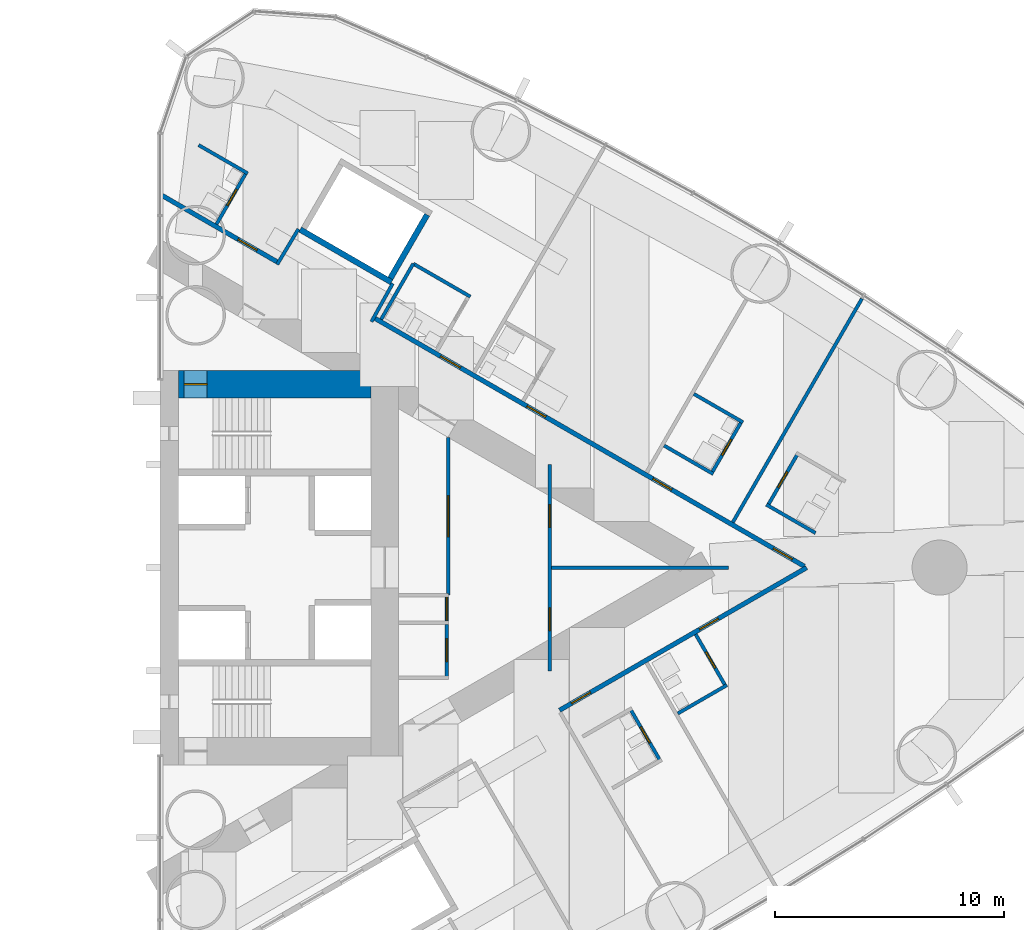
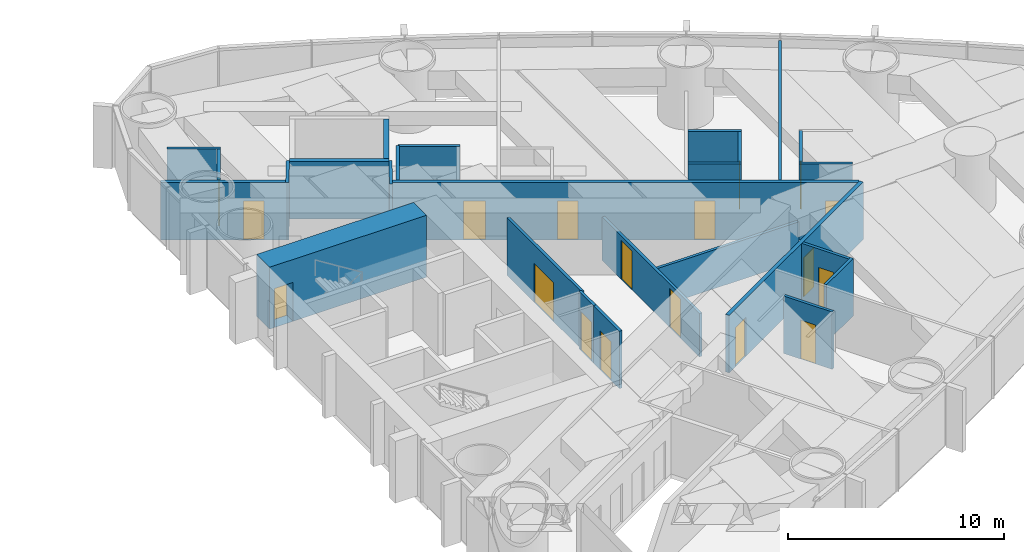
# One storey, part 14 of 18: 26 walls, 18 doors, 18 openings.
"""IFC4 building model written with IfcOpenShell, lengths in metres."""

from ifc_helpers import new_model, si_unit, direction, frame, frame_2d, origin, place, context, subcontext, project, spatial, rectangle, extrude, material, layer, layer_set, type_object, element, fill, save


model = new_model("IFC4")

# Units and contexts
model_context = context("Model", 3, precision=1e-05, world=origin(), true_north=direction((0.0, 1.0)))
body_context = subcontext(model_context, "Body", "Model", "MODEL_VIEW")
ifc_project = project(units=[si_unit("LENGTHUNIT", "METRE"), si_unit("AREAUNIT", "SQUARE_METRE"), si_unit("VOLUMEUNIT", "CUBIC_METRE"), si_unit("PLANEANGLEUNIT", "RADIAN"), si_unit("MASSUNIT", "GRAM", prefix="KILO")], contexts=[model_context])

# Site, building, storey
site_placement = place(None, origin())
site = spatial("IfcSite", under=ifc_project, at=site_placement, CompositionType="ELEMENT")
building_placement = place(site_placement, origin())
building = spatial("IfcBuilding", under=site, at=building_placement, Name="Lancet Gate Hotel", CompositionType="ELEMENT")
storey_placement = place(building_placement, frame((0.0, 0.0, 125.60009765625)))
storey = spatial("IfcBuildingStorey", under=building, at=storey_placement, Name="L33", CompositionType="ELEMENT", Elevation=125.60009765625)

# Wall, opening, door
ifc_material_1 = material(Name="Moisture resistant board partition")
ifc_layer_1 = layer(ifc_material_1, 0.14990234375)
ifc_layer_set_1 = layer_set([ifc_layer_1], Name="Bathroom wall 150")
wall_type_1 = type_object("IfcWallType", Name="Bathroom wall 150", PredefinedType="PARTITIONING", material=ifc_layer_set_1)
wall_1_placement = place(storey_placement, frame((48.013427734375, -6.171142578125, 0.0), z_axis=(0.0, 0.0, 1.0), x_axis=(0.500006934395, -0.866021400173, 0.0)))
wall_1 = element("IfcWall", 1, at=wall_1_placement, inside=storey, type_object=wall_type_1, Name="T2 bathroom wall 150 L33", PredefinedType="PARTITIONING", context=body_context, shape_type="SweptSolid", body=[
    extrude(rectangle(XDim=2.60009765625, YDim=0.14990234375, at=frame_2d((1.300048828125, 0.0))), origin(), (0.0, 0.0, 1.0), 3.25),
])
opening_1_placement = place(wall_1_placement, frame((0.89990234375, 0.0, 0.0)))
opening_1 = element("IfcOpeningElement", 2, at=opening_1_placement, cuts=wall_1, Name="Opening 3355-B", PredefinedType="OPENING", context=body_context, shape_type="SweptSolid", body=[
    extrude(rectangle(XDim=0.800048828125, YDim=2.199951171875, at=frame_2d((0.39990234375, 1.10009765625))), frame((0.0, 0.0849609375, 0.0), z_axis=(0.0, -1.0, 0.0), x_axis=(1.0, 0.0, 0.0)), (0.0, 0.0, 1.0), 0.169921875),
])
ifc_material_2 = material(Name="Timber door set", Category="wood")
door_type_1 = type_object("IfcDoorType", Name="Bathroom door 800", OperationType="SINGLE_SWING_RIGHT", PredefinedType="DOOR", material=ifc_material_2)
door_1_placement = place(opening_1_placement, origin())
door_1 = element("IfcDoor", 3, at=door_1_placement, inside=storey, type_object=door_type_1, Name="3355-B", OperationType="SINGLE_SWING_RIGHT", OverallHeight=2.199951171875, OverallWidth=0.800048828125, PredefinedType="DOOR", context=body_context, shape_type="SweptSolid", body=[
    extrude(rectangle(XDim=0.800048828125, YDim=2.199951171875, at=frame_2d((0.39990234375, 1.10009765625))), frame((0.0, 0.02490234375, 0.0), z_axis=(0.0, -1.0, 0.0), x_axis=(1.0, 0.0, 0.0)), (0.0, 0.0, 1.0), 0.050048828125),
])
fill(opening_1, door_1)

# Wall
wall_2_placement = place(storey_placement, frame((50.08349609375, -6.36181640625, 0.0), z_axis=(0.0, 0.0, 1.0), x_axis=(0.866006523861, 0.500032699561, 0.0)))
element("IfcWall", 4, at=wall_2_placement, inside=storey, type_object=wall_type_1, Name="T2 bathroom wall 150 L33", PredefinedType="PARTITIONING", context=body_context, shape_type="SweptSolid", body=[
    extrude(rectangle(XDim=2.474853515625, YDim=0.14990234375, at=frame_2d((1.2373046875, 0.0))), origin(), (0.0, 0.0, 1.0), 3.25),
])

# Wall, opening, door
wall_3_placement = place(storey_placement, frame((50.86181640625, -2.91015625, 0.0), z_axis=(0.0, 0.0, 1.0), x_axis=(0.500047596559, -0.865997922154, 0.0)))
wall_3 = element("IfcWall", 5, at=wall_3_placement, inside=storey, type_object=wall_type_1, Name="T2 bathroom wall 150 L33", PredefinedType="PARTITIONING", context=body_context, shape_type="SweptSolid", body=[
    extrude(rectangle(XDim=2.599853515625, YDim=0.14990234375, at=frame_2d((1.2998046875, 0.0))), origin(), (0.0, 0.0, 1.0), 3.25),
])
opening_2_placement = place(wall_3_placement, frame((0.89990234375, 0.0, 0.0)))
opening_2 = element("IfcOpeningElement", 6, at=opening_2_placement, cuts=wall_3, Name="Opening 3356-B", PredefinedType="OPENING", context=body_context, shape_type="SweptSolid", body=[
    extrude(rectangle(XDim=0.800048828125, YDim=2.199951171875, at=frame_2d((0.39990234375, 1.10009765625))), frame((0.0, 0.0849609375, 0.0), z_axis=(0.0, -1.0, 0.0), x_axis=(1.0, 0.0, 0.0)), (0.0, 0.0, 1.0), 0.169921875),
])
door_2_placement = place(opening_2_placement, origin())
door_2 = element("IfcDoor", 7, at=door_2_placement, inside=storey, type_object=door_type_1, Name="3356-B", OperationType="SINGLE_SWING_RIGHT", OverallHeight=2.199951171875, OverallWidth=0.800048828125, PredefinedType="DOOR", context=body_context, shape_type="SweptSolid", body=[
    extrude(rectangle(XDim=0.800048828125, YDim=2.199951171875, at=frame_2d((0.39990234375, 1.10009765625))), frame((0.0, 0.02490234375, 0.0), z_axis=(0.0, -1.0, 0.0), x_axis=(1.0, 0.0, 0.0)), (0.0, 0.0, 1.0), 0.050048828125),
])
fill(opening_2, door_2)

wall_4_placement = place(storey_placement, frame((54.010009765625, 2.708984375, 0.0), z_axis=(0.0, 0.0, 1.0), x_axis=(0.500006934395, 0.866021400173, 0.0)))
wall_4 = element("IfcWall", 8, at=wall_4_placement, inside=storey, type_object=wall_type_1, Name="T2 bathroom wall 150 L33", PredefinedType="PARTITIONING", context=body_context, shape_type="SweptSolid", body=[
    extrude(rectangle(XDim=2.60009765625, YDim=0.14990234375, at=frame_2d((1.300048828125, 0.0))), origin(), (0.0, 0.0, 1.0), 3.25),
])
opening_3_placement = place(wall_4_placement, frame((0.89990234375, 0.0, 0.0)))
opening_3 = element("IfcOpeningElement", 9, at=opening_3_placement, cuts=wall_4, Name="Opening 3358-B", PredefinedType="OPENING", context=body_context, shape_type="SweptSolid", body=[
    extrude(rectangle(XDim=0.800048828125, YDim=2.199951171875, at=frame_2d((0.39990234375, 1.10009765625))), frame((0.0, 0.0849609375, 0.0), z_axis=(0.0, -1.0, 0.0), x_axis=(1.0, 0.0, 0.0)), (0.0, 0.0, 1.0), 0.169921875),
])
door_3_placement = place(opening_3_placement, origin())
door_3 = element("IfcDoor", 10, at=door_3_placement, inside=storey, type_object=door_type_1, Name="3358-B", OperationType="SINGLE_SWING_RIGHT", OverallHeight=2.199951171875, OverallWidth=0.800048828125, PredefinedType="DOOR", context=body_context, shape_type="SweptSolid", body=[
    extrude(rectangle(XDim=0.800048828125, YDim=2.199951171875, at=frame_2d((0.39990234375, 1.10009765625))), frame((0.0, 0.02490234375, 0.0), z_axis=(0.0, -1.0, 0.0), x_axis=(1.0, 0.0, 0.0)), (0.0, 0.0, 1.0), 0.050048828125),
])
fill(opening_3, door_3)

# Walls
wall_5_placement = place(storey_placement, frame((53.945068359375, 2.74658203125, 0.0), z_axis=(0.0, 0.0, 1.0), x_axis=(0.866031185235, -0.4999899861, 0.0)))
element("IfcWall", 11, at=wall_5_placement, inside=storey, type_object=wall_type_1, Name="T2 bathroom wall 150 L33", PredefinedType="PARTITIONING", context=body_context, shape_type="SweptSolid", body=[
    extrude(rectangle(XDim=2.47509765625, YDim=0.14990234375, at=frame_2d((1.237548828125, 0.0))), origin(), (0.0, 0.0, 1.0), 3.25),
])
wall_6_placement = place(storey_placement, frame((50.783447265625, 7.57421875, 0.0), z_axis=(0.0, 0.0, 1.0), x_axis=(0.866006523861, -0.500032699561, 0.0)))
element("IfcWall", 12, at=wall_6_placement, inside=storey, type_object=wall_type_1, Name="T2 bathroom wall 150 L33", PredefinedType="PARTITIONING", context=body_context, shape_type="SweptSolid", body=[
    extrude(rectangle(XDim=2.474853515625, YDim=0.14990234375, at=frame_2d((1.2373046875, 0.0))), origin(), (0.0, 0.0, 1.0), 3.25),
])

# Wall, opening, door
wall_7_placement = place(storey_placement, frame((51.56201171875, 4.12255859375, 0.0), z_axis=(0.0, 0.0, 1.0), x_axis=(0.49997716683, 0.86603858612, 0.0)))
wall_7 = element("IfcWall", 13, at=wall_7_placement, inside=storey, type_object=wall_type_1, Name="T2 bathroom wall 150 L33", PredefinedType="PARTITIONING", context=body_context, shape_type="SweptSolid", body=[
    extrude(rectangle(XDim=2.599609375, YDim=0.14990234375, at=frame_2d((1.2998046875, 0.0))), origin(), (0.0, 0.0, 1.0), 3.25),
])
opening_4_placement = place(wall_7_placement, frame((0.89990234375, 0.0, 0.0)))
opening_4 = element("IfcOpeningElement", 14, at=opening_4_placement, cuts=wall_7, Name="Opening 3359-B", PredefinedType="OPENING", context=body_context, shape_type="SweptSolid", body=[
    extrude(rectangle(XDim=0.800048828125, YDim=2.199951171875, at=frame_2d((0.39990234375, 1.10009765625))), frame((0.0, 0.0849609375, 0.0), z_axis=(0.0, -1.0, 0.0), x_axis=(1.0, 0.0, 0.0)), (0.0, 0.0, 1.0), 0.169921875),
])
door_4_placement = place(opening_4_placement, origin())
door_4 = element("IfcDoor", 15, at=door_4_placement, inside=storey, type_object=door_type_1, Name="3359-B", OperationType="SINGLE_SWING_RIGHT", OverallHeight=2.199951171875, OverallWidth=0.800048828125, PredefinedType="DOOR", context=body_context, shape_type="SweptSolid", body=[
    extrude(rectangle(XDim=0.800048828125, YDim=2.199951171875, at=frame_2d((0.39990234375, 1.10009765625))), frame((0.0, 0.02490234375, 0.0), z_axis=(0.0, -1.0, 0.0), x_axis=(1.0, 0.0, 0.0)), (0.0, 0.0, 1.0), 0.050048828125),
])
fill(opening_4, door_4)

# Walls
wall_8_placement = place(storey_placement, frame((49.4833984375, 5.322509765625, 0.0), z_axis=(0.0, 0.0, 1.0), x_axis=(0.866031185235, -0.4999899861, 0.0)))
element("IfcWall", 16, at=wall_8_placement, inside=storey, type_object=wall_type_1, Name="T2 bathroom wall 150 L33", PredefinedType="PARTITIONING", context=body_context, shape_type="SweptSolid", body=[
    extrude(rectangle(XDim=2.47509765625, YDim=0.14990234375, at=frame_2d((1.237548828125, 0.0))), origin(), (0.0, 0.0, 1.0), 3.25),
])
wall_9_placement = place(storey_placement, frame((38.5439453125, 13.255126953125, 0.0), z_axis=(0.0, 0.0, 1.0), x_axis=(0.866018712932, -0.500011588718, 0.0)))
element("IfcWall", 17, at=wall_9_placement, inside=storey, type_object=wall_type_1, Name="T2 bathroom wall 150 L33", PredefinedType="PARTITIONING", context=body_context, shape_type="SweptSolid", body=[
    extrude(rectangle(XDim=2.875, YDim=0.14990234375, at=frame_2d((1.4375, 0.0))), origin(), (0.0, 0.0, 1.0), 3.25),
])
wall_10_placement = place(storey_placement, frame((37.143798828125, 10.830078125, 0.0), z_axis=(0.0, 0.0, 1.0), x_axis=(0.500011755427, 0.866018616679, 0.0)))
element("IfcWall", 18, at=wall_10_placement, inside=storey, type_object=wall_type_1, Name="T2 bathroom wall 150 L33", PredefinedType="PARTITIONING", context=body_context, shape_type="SweptSolid", body=[
    extrude(rectangle(XDim=2.80029296875, YDim=0.14990234375, at=frame_2d((1.400146484375, 0.0))), origin(), (0.0, 0.0, 1.0), 3.25),
])
wall_11_placement = place(storey_placement, frame((29.181884765625, 18.42919921875, 0.0), z_axis=(0.0, 0.0, 1.0), x_axis=(0.866006523861, -0.500032699561, 0.0)))
element("IfcWall", 19, at=wall_11_placement, inside=storey, type_object=wall_type_1, Name="T2 bathroom wall 150 L33", PredefinedType="PARTITIONING", context=body_context, shape_type="SweptSolid", body=[
    extrude(rectangle(XDim=2.474853515625, YDim=0.14990234375, at=frame_2d((1.2373046875, 0.0))), origin(), (0.0, 0.0, 1.0), 3.25),
])

# Wall, opening, door
wall_12_placement = place(storey_placement, frame((29.960205078125, 14.9775390625, 0.0), z_axis=(0.0, 0.0, 1.0), x_axis=(0.500006934395, 0.866021400173, 0.0)))
wall_12 = element("IfcWall", 20, at=wall_12_placement, inside=storey, type_object=wall_type_1, Name="T2 bathroom wall 150 L33", PredefinedType="PARTITIONING", context=body_context, shape_type="SweptSolid", body=[
    extrude(rectangle(XDim=2.60009765625, YDim=0.14990234375, at=frame_2d((1.300048828125, 0.0))), origin(), (0.0, 0.0, 1.0), 3.25),
])
opening_5_placement = place(wall_12_placement, frame((0.949951171875, 0.0, 0.0)))
opening_5 = element("IfcOpeningElement", 21, at=opening_5_placement, cuts=wall_12, Name="Opening 3364-B", PredefinedType="OPENING", context=body_context, shape_type="SweptSolid", body=[
    extrude(rectangle(XDim=0.800048828125, YDim=2.199951171875, at=frame_2d((0.39990234375, 1.10009765625))), frame((0.0, 0.0849609375, 0.0), z_axis=(0.0, -1.0, 0.0), x_axis=(1.0, 0.0, 0.0)), (0.0, 0.0, 1.0), 0.169921875),
])
door_5_placement = place(opening_5_placement, origin())
door_5 = element("IfcDoor", 22, at=door_5_placement, inside=storey, type_object=door_type_1, Name="3364-B", OperationType="SINGLE_SWING_RIGHT", OverallHeight=2.199951171875, OverallWidth=0.800048828125, PredefinedType="DOOR", context=body_context, shape_type="SweptSolid", body=[
    extrude(rectangle(XDim=0.800048828125, YDim=2.199951171875, at=frame_2d((0.39990234375, 1.10009765625))), frame((0.0, 0.02490234375, 0.0), z_axis=(0.0, -1.0, 0.0), x_axis=(1.0, 0.0, 0.0)), (0.0, 0.0, 1.0), 0.050048828125),
])
fill(opening_5, door_5)

ifc_material_3 = material(Name="Concrete C70/85", Category="concrete")
ifc_layer_2 = layer(ifc_material_3, 1.199951171875)
ifc_layer_set_2 = layer_set([ifc_layer_2], Name="Core wall 1200")
wall_type_2 = type_object("IfcWallType", Name="Core wall 1200", PredefinedType="SHEAR", material=ifc_layer_set_2)
wall_13_placement = place(storey_placement, frame((28.300048828125, 8.0, 0.0), z_axis=(0.0, 0.0, 1.0), x_axis=(1.0, 0.0, 0.0)))
wall_13 = element("IfcWall", 23, at=wall_13_placement, inside=storey, type_object=wall_type_2, Name="T2 core wall side-N L33", PredefinedType="SHEAR", context=body_context, shape_type="SweptSolid", body=[
    extrude(rectangle(XDim=8.39990234375, YDim=1.199951171875, at=frame_2d((4.199951171875, 0.0))), origin(), (0.0, 0.0, 1.0), 3.5),
])
opening_6_placement = place(wall_13_placement, frame((0.25, 0.0, 0.0)))
opening_6 = element("IfcOpeningElement", 24, at=opening_6_placement, cuts=wall_13, Name="Opening T2-L33-ST2", PredefinedType="OPENING", context=body_context, shape_type="SweptSolid", body=[
    extrude(rectangle(XDim=1.0, YDim=2.199951171875, at=frame_2d((0.5, 1.10009765625))), frame((0.0, 0.60986328125, 0.0), z_axis=(0.0, -1.0, 0.0), x_axis=(1.0, 0.0, 0.0)), (0.0, 0.0, 1.0), 1.219970703125),
])
ifc_material_4 = material(Name="Timber door set", Category="wood")
door_type_2 = type_object("IfcDoorType", Name="Stair door 1000", OperationType="SINGLE_SWING_RIGHT", PredefinedType="DOOR", material=ifc_material_4)
door_6_placement = place(opening_6_placement, origin())
door_6 = element("IfcDoor", 25, at=door_6_placement, inside=storey, type_object=door_type_2, Name="T2-L33-ST2", OperationType="SINGLE_SWING_RIGHT", OverallHeight=2.199951171875, OverallWidth=1.0, PredefinedType="DOOR", context=body_context, shape_type="SweptSolid", body=[
    extrude(rectangle(XDim=1.0, YDim=2.199951171875, at=frame_2d((0.5, 1.10009765625))), frame((0.0, 0.02490234375, 0.0), z_axis=(0.0, -1.0, 0.0), x_axis=(1.0, 0.0, 0.0)), (0.0, 0.0, 1.0), 0.050048828125),
])
fill(opening_6, door_6)

ifc_material_5 = material(Name="Gypsum board partition")
ifc_layer_3 = layer(ifc_material_5, 0.199951171875)
ifc_layer_set_3 = layer_set([ifc_layer_3], Name="Corridor wall 200")
wall_type_3 = type_object("IfcWallType", Name="Corridor wall 200", PredefinedType="PARTITIONING", material=ifc_layer_set_3)
wall_14_placement = place(storey_placement, frame((27.572021484375, 16.240966796875, 0.0), z_axis=(0.0, 0.0, 1.0), x_axis=(0.866032814021, -0.499987164874, 0.0)))
wall_14 = element("IfcWall", 26, at=wall_14_placement, inside=storey, type_object=wall_type_3, Name="T2 corridor wall 200 L33", PredefinedType="PARTITIONING", context=body_context, shape_type="SweptSolid", body=[
    extrude(rectangle(XDim=5.854736328125, YDim=0.199951171875, at=frame_2d((2.92724609375, 0.0))), origin(), (0.0, 0.0, 1.0), 3.25),
])
opening_7_placement = place(wall_14_placement, frame((3.85009765625, 0.0, 0.0)))
opening_7 = element("IfcOpeningElement", 27, at=opening_7_placement, cuts=wall_14, Name="Opening 3364-E", PredefinedType="OPENING", context=body_context, shape_type="SweptSolid", body=[
    extrude(rectangle(XDim=0.949951171875, YDim=2.199951171875, at=frame_2d((0.47509765625, 1.10009765625))), frame((0.0, 0.10986328125, 0.0), z_axis=(0.0, -1.0, 0.0), x_axis=(1.0, 0.0, 0.0)), (0.0, 0.0, 1.0), 0.219970703125),
])
ifc_material_6 = material(Name="Timber door set", Category="wood")
door_type_3 = type_object("IfcDoorType", Name="Guest room entry door 950", OperationType="SINGLE_SWING_LEFT", PredefinedType="DOOR", material=ifc_material_6)
door_7_placement = place(opening_7_placement, origin())
door_7 = element("IfcDoor", 28, at=door_7_placement, inside=storey, type_object=door_type_3, Name="3364-E", OperationType="SINGLE_SWING_LEFT", OverallHeight=2.199951171875, OverallWidth=0.949951171875, PredefinedType="DOOR", context=body_context, shape_type="SweptSolid", body=[
    extrude(rectangle(XDim=0.949951171875, YDim=2.199951171875, at=frame_2d((0.47509765625, 1.10009765625))), frame((0.0, 0.02490234375, 0.0), z_axis=(0.0, -1.0, 0.0), x_axis=(1.0, 0.0, 0.0)), (0.0, 0.0, 1.0), 0.050048828125),
])
fill(opening_7, door_7)

# Wall, openings, doors
wall_15_placement = place(storey_placement, frame((36.833984375, 10.8935546875, 0.0), z_axis=(0.0, 0.0, 1.0), x_axis=(0.866028157229, -0.499995230863, 0.0)))
wall_15 = element("IfcWall", 29, at=wall_15_placement, inside=storey, type_object=wall_type_3, Name="T2 corridor wall 200 L33", PredefinedType="PARTITIONING", context=body_context, shape_type="SweptSolid", body=[
    extrude(rectangle(XDim=21.667236328125, YDim=0.199951171875, at=frame_2d((10.83349609375, 0.0))), origin(), (0.0, 0.0, 1.0), 3.25),
])
opening_8_placement = place(wall_15_placement, frame((20.1171875, 0.0, 0.0)))
opening_8 = element("IfcOpeningElement", 30, at=opening_8_placement, cuts=wall_15, Name="Opening 3358-E", PredefinedType="OPENING", context=body_context, shape_type="SweptSolid", body=[
    extrude(rectangle(XDim=0.949951171875, YDim=2.199951171875, at=frame_2d((0.47509765625, 1.10009765625))), frame((0.0, 0.10986328125, 0.0), z_axis=(0.0, -1.0, 0.0), x_axis=(1.0, 0.0, 0.0)), (0.0, 0.0, 1.0), 0.219970703125),
])
opening_9_placement = place(wall_15_placement, frame((14.040283203125, 0.0, 0.0)))
opening_9 = element("IfcOpeningElement", 31, at=opening_9_placement, cuts=wall_15, Name="Opening 3359-E", PredefinedType="OPENING", context=body_context, shape_type="SweptSolid", body=[
    extrude(rectangle(XDim=0.949951171875, YDim=2.199951171875, at=frame_2d((0.47509765625, 1.10009765625))), frame((0.0, 0.10986328125, 0.0), z_axis=(0.0, -1.0, 0.0), x_axis=(1.0, 0.0, 0.0)), (0.0, 0.0, 1.0), 0.219970703125),
])
opening_10_placement = place(wall_15_placement, frame((7.69677734375, 0.0, 0.0)))
opening_10 = element("IfcOpeningElement", 32, at=opening_10_placement, cuts=wall_15, Name="Opening 3360-E", PredefinedType="OPENING", context=body_context, shape_type="SweptSolid", body=[
    extrude(rectangle(XDim=0.949951171875, YDim=2.199951171875, at=frame_2d((0.47509765625, 1.10009765625))), frame((0.0, 0.10986328125, 0.0), z_axis=(0.0, -1.0, 0.0), x_axis=(1.0, 0.0, 0.0)), (0.0, 0.0, 1.0), 0.219970703125),
])
opening_11_placement = place(wall_15_placement, frame((3.35009765625, 0.0, 0.0)))
opening_11 = element("IfcOpeningElement", 33, at=opening_11_placement, cuts=wall_15, Name="Opening 3362-E", PredefinedType="OPENING", context=body_context, shape_type="SweptSolid", body=[
    extrude(rectangle(XDim=1.0, YDim=2.199951171875, at=frame_2d((0.5, 1.10009765625))), frame((0.0, 0.10986328125, 0.0), z_axis=(0.0, -1.0, 0.0), x_axis=(1.0, 0.0, 0.0)), (0.0, 0.0, 1.0), 0.219970703125),
])
ifc_material_7 = material(Name="Timber door set", Category="wood")
door_type_4 = type_object("IfcDoorType", Name="Accessible guest room door 1000", OperationType="SINGLE_SWING_LEFT", PredefinedType="DOOR", material=ifc_material_7)
door_8_placement = place(opening_11_placement, origin())
door_8 = element("IfcDoor", 34, at=door_8_placement, inside=storey, type_object=door_type_4, Name="3362-E", OperationType="SINGLE_SWING_LEFT", OverallHeight=2.199951171875, OverallWidth=1.0, PredefinedType="DOOR", context=body_context, shape_type="SweptSolid", body=[
    extrude(rectangle(XDim=1.0, YDim=2.199951171875, at=frame_2d((0.5, 1.10009765625))), frame((0.0, 0.02490234375, 0.0), z_axis=(0.0, -1.0, 0.0), x_axis=(1.0, 0.0, 0.0)), (0.0, 0.0, 1.0), 0.050048828125),
])
fill(opening_11, door_8)
door_9_placement = place(opening_8_placement, origin())
door_9 = element("IfcDoor", 35, at=door_9_placement, inside=storey, type_object=door_type_3, Name="3358-E", OperationType="SINGLE_SWING_LEFT", OverallHeight=2.199951171875, OverallWidth=0.949951171875, PredefinedType="DOOR", context=body_context, shape_type="SweptSolid", body=[
    extrude(rectangle(XDim=0.949951171875, YDim=2.199951171875, at=frame_2d((0.47509765625, 1.10009765625))), frame((0.0, 0.02490234375, 0.0), z_axis=(0.0, -1.0, 0.0), x_axis=(1.0, 0.0, 0.0)), (0.0, 0.0, 1.0), 0.050048828125),
])
fill(opening_8, door_9)
door_10_placement = place(opening_9_placement, origin())
door_10 = element("IfcDoor", 36, at=door_10_placement, inside=storey, type_object=door_type_3, Name="3359-E", OperationType="SINGLE_SWING_LEFT", OverallHeight=2.199951171875, OverallWidth=0.949951171875, PredefinedType="DOOR", context=body_context, shape_type="SweptSolid", body=[
    extrude(rectangle(XDim=0.949951171875, YDim=2.199951171875, at=frame_2d((0.47509765625, 1.10009765625))), frame((0.0, 0.02490234375, 0.0), z_axis=(0.0, -1.0, 0.0), x_axis=(1.0, 0.0, 0.0)), (0.0, 0.0, 1.0), 0.050048828125),
])
fill(opening_9, door_10)
door_11_placement = place(opening_10_placement, origin())
door_11 = element("IfcDoor", 37, at=door_11_placement, inside=storey, type_object=door_type_3, Name="3360-E", OperationType="SINGLE_SWING_LEFT", OverallHeight=2.199951171875, OverallWidth=0.949951171875, PredefinedType="DOOR", context=body_context, shape_type="SweptSolid", body=[
    extrude(rectangle(XDim=0.949951171875, YDim=2.199951171875, at=frame_2d((0.47509765625, 1.10009765625))), frame((0.0, 0.02490234375, 0.0), z_axis=(0.0, -1.0, 0.0), x_axis=(1.0, 0.0, 0.0)), (0.0, 0.0, 1.0), 0.050048828125),
])
fill(opening_10, door_11)

wall_16_placement = place(storey_placement, frame((44.92529296875, -6.22216796875, 0.0), z_axis=(0.0, 0.0, 1.0), x_axis=(0.866020269055, 0.500008893506, 0.0)))
wall_16 = element("IfcWall", 38, at=wall_16_placement, inside=storey, type_object=wall_type_3, Name="T2 corridor wall 200 L33", PredefinedType="PARTITIONING", context=body_context, shape_type="SweptSolid", body=[
    extrude(rectangle(XDim=12.444091796875, YDim=0.199951171875, at=frame_2d((6.22216796875, 0.0))), origin(), (0.0, 0.0, 1.0), 3.25),
])
opening_12_placement = place(wall_16_placement, frame((0.60009765625, 0.0, 0.0)))
opening_12 = element("IfcOpeningElement", 39, at=opening_12_placement, cuts=wall_16, Name="Opening 3355-E", PredefinedType="OPENING", context=body_context, shape_type="SweptSolid", body=[
    extrude(rectangle(XDim=0.949951171875, YDim=2.199951171875, at=frame_2d((0.47509765625, 1.10009765625))), frame((0.0, 0.10986328125, 0.0), z_axis=(0.0, -1.0, 0.0), x_axis=(1.0, 0.0, 0.0)), (0.0, 0.0, 1.0), 0.219970703125),
])
opening_13_placement = place(wall_16_placement, frame((7.04736328125, 0.0, 0.0)))
opening_13 = element("IfcOpeningElement", 40, at=opening_13_placement, cuts=wall_16, Name="Opening 3356-E", PredefinedType="OPENING", context=body_context, shape_type="SweptSolid", body=[
    extrude(rectangle(XDim=0.949951171875, YDim=2.199951171875, at=frame_2d((0.47509765625, 1.10009765625))), frame((0.0, 0.10986328125, 0.0), z_axis=(0.0, -1.0, 0.0), x_axis=(1.0, 0.0, 0.0)), (0.0, 0.0, 1.0), 0.219970703125),
])
door_12_placement = place(opening_12_placement, origin())
door_12 = element("IfcDoor", 41, at=door_12_placement, inside=storey, type_object=door_type_3, Name="3355-E", OperationType="SINGLE_SWING_LEFT", OverallHeight=2.199951171875, OverallWidth=0.949951171875, PredefinedType="DOOR", context=body_context, shape_type="SweptSolid", body=[
    extrude(rectangle(XDim=0.949951171875, YDim=2.199951171875, at=frame_2d((0.47509765625, 1.10009765625))), frame((0.0, 0.02490234375, 0.0), z_axis=(0.0, -1.0, 0.0), x_axis=(1.0, 0.0, 0.0)), (0.0, 0.0, 1.0), 0.050048828125),
])
fill(opening_12, door_12)
door_13_placement = place(opening_13_placement, origin())
door_13 = element("IfcDoor", 42, at=door_13_placement, inside=storey, type_object=door_type_3, Name="3356-E", OperationType="SINGLE_SWING_LEFT", OverallHeight=2.199951171875, OverallWidth=0.949951171875, PredefinedType="DOOR", context=body_context, shape_type="SweptSolid", body=[
    extrude(rectangle(XDim=0.949951171875, YDim=2.199951171875, at=frame_2d((0.47509765625, 1.10009765625))), frame((0.0, 0.02490234375, 0.0), z_axis=(0.0, -1.0, 0.0), x_axis=(1.0, 0.0, 0.0)), (0.0, 0.0, 1.0), 0.050048828125),
])
fill(opening_13, door_13)

# Walls
ifc_material_8 = material(Name="Gypsum board partition")
ifc_layer_4 = layer(ifc_material_8, 0.25)
ifc_layer_set_4 = layer_set([ifc_layer_4], Name="Lift shaft partition 250")
wall_type_4 = type_object("IfcWallType", Name="Lift shaft partition 250", PredefinedType="PARTITIONING", material=ifc_layer_set_4)
wall_17_placement = place(storey_placement, frame((33.6083984375, 14.747314453125, 0.0), z_axis=(0.0, 0.0, 1.0), x_axis=(0.866043305498, -0.49996899204, 0.0)))
element("IfcWall", 43, at=wall_17_placement, inside=storey, type_object=wall_type_4, Name="T2 lift shaft wall EX L33", PredefinedType="PARTITIONING", context=body_context, shape_type="SweptSolid", body=[
    extrude(rectangle(XDim=4.600341796875, YDim=0.25, at=frame_2d((2.30029296875, 0.0))), origin(), (0.0, 0.0, 1.0), 3.25),
])
wall_18_placement = place(storey_placement, frame((37.546630859375, 12.617919921875, 0.0), z_axis=(0.0, 0.0, 1.0), x_axis=(0.499929347863, 0.866066190972, 0.0)))
element("IfcWall", 44, at=wall_18_placement, inside=storey, type_object=wall_type_4, Name="T2 lift shaft wall EX L33", PredefinedType="PARTITIONING", context=body_context, shape_type="SweptSolid", body=[
    extrude(rectangle(XDim=3.20068359375, YDim=0.25, at=frame_2d((1.600341796875, 0.0))), origin(), (0.0, 0.0, 1.0), 3.25),
])
ifc_material_9 = material(Name="Gypsum board partition")
ifc_layer_5 = layer(ifc_material_9, 0.14990234375)
ifc_layer_set_5 = layer_set([ifc_layer_5], Name="Party wall 150")
wall_type_5 = type_object("IfcWallType", Name="Party wall 150", PredefinedType="PARTITIONING", material=ifc_layer_set_5)
wall_19_placement = place(storey_placement, frame((52.4814453125, 1.97509765625, 0.0), z_axis=(0.0, 0.0, 1.0), x_axis=(0.500003867771, 0.866023170714, 0.0)))
element("IfcWall", 45, at=wall_19_placement, inside=storey, type_object=wall_type_5, Name="T2 party wall 150 L33", PredefinedType="PARTITIONING", context=body_context, shape_type="SweptSolid", body=[
    extrude(rectangle(XDim=11.2646484375, YDim=0.14990234375, at=frame_2d((5.63232421875, 0.0))), origin(), (0.0, 0.0, 1.0), 3.25),
])
ifc_material_10 = material(Name="Gypsum board partition")
ifc_layer_6 = layer(ifc_material_10, 0.14990234375)
ifc_layer_set_6 = layer_set([ifc_layer_6], Name="Service room wall 150")
wall_type_6 = type_object("IfcWallType", Name="Service room wall 150", PredefinedType="PARTITIONING", material=ifc_layer_set_6)
wall_20_placement = place(storey_placement, frame((36.718505859375, 10.723388671875, 0.0), z_axis=(0.0, 0.0, 1.0), x_axis=(0.486348184724, 0.87376509613, 0.0)))
element("IfcWall", 46, at=wall_20_placement, inside=storey, type_object=wall_type_6, Name="T2 service room wall 150 L33", PredefinedType="PARTITIONING", context=body_context, shape_type="SweptSolid", body=[
    extrude(rectangle(XDim=1.91015625, YDim=0.14990234375, at=frame_2d((0.955078125, 0.0))), origin(), (0.0, 0.0, 1.0), 3.25),
])
wall_21_placement = place(storey_placement, frame((33.533447265625, 14.767333984375, 0.0), z_axis=(0.0, 0.0, 1.0), x_axis=(-0.514296815006, -0.857612258585, 0.0)))
element("IfcWall", 47, at=wall_21_placement, inside=storey, type_object=wall_type_6, Name="T2 service room wall 150 L33", PredefinedType="PARTITIONING", context=body_context, shape_type="SweptSolid", body=[
    extrude(rectangle(XDim=1.804931640625, YDim=0.14990234375, at=frame_2d((0.90234375, 0.0))), origin(), (0.0, 0.0, 1.0), 3.25),
])

# Wall, opening, door
wall_22_placement = place(storey_placement, frame((40.0, -2.47509765625, 0.0), z_axis=(0.0, 0.0, 1.0), x_axis=(0.0, 1.0, 0.0)))
wall_22 = element("IfcWall", 48, at=wall_22_placement, inside=storey, type_object=wall_type_6, Name="T2 service room wall 150 L33", PredefinedType="PARTITIONING", context=body_context, shape_type="SweptSolid", body=[
    extrude(rectangle(XDim=1.35009765625, YDim=0.14990234375, at=frame_2d((0.675048828125, 0.0))), origin(), (0.0, 0.0, 1.0), 3.25),
])
opening_14_placement = place(wall_22_placement, frame((0.175048828125, 0.0, 0.0)))
opening_14 = element("IfcOpeningElement", 49, at=opening_14_placement, cuts=wall_22, Name="Opening T2-L33-HRS0", PredefinedType="OPENING", context=body_context, shape_type="SweptSolid", body=[
    extrude(rectangle(XDim=1.0, YDim=2.199951171875, at=frame_2d((0.5, 1.10009765625))), frame((0.0, 0.0849609375, 0.0), z_axis=(0.0, -1.0, 0.0), x_axis=(1.0, 0.0, 0.0)), (0.0, 0.0, 1.0), 0.169921875),
])
ifc_material_11 = material(Name="Timber door set", Category="wood")
door_type_5 = type_object("IfcDoorType", Name="Service door 1000", OperationType="SINGLE_SWING_LEFT", PredefinedType="DOOR", material=ifc_material_11)
door_14_placement = place(opening_14_placement, origin())
door_14 = element("IfcDoor", 50, at=door_14_placement, inside=storey, type_object=door_type_5, Name="T2-L33-HRS0", OperationType="SINGLE_SWING_LEFT", OverallHeight=2.199951171875, OverallWidth=1.0, PredefinedType="DOOR", context=body_context, shape_type="SweptSolid", body=[
    extrude(rectangle(XDim=1.0, YDim=2.199951171875, at=frame_2d((0.5, 1.10009765625))), frame((0.0, 0.02490234375, 0.0), z_axis=(0.0, -1.0, 0.0), x_axis=(1.0, 0.0, 0.0)), (0.0, 0.0, 1.0), 0.050048828125),
])
fill(opening_14, door_14)

wall_23_placement = place(storey_placement, frame((40.0, -4.875, 0.0), z_axis=(0.0, 0.0, 1.0), x_axis=(0.0, 1.0, 0.0)))
wall_23 = element("IfcWall", 51, at=wall_23_placement, inside=storey, type_object=wall_type_6, Name="T2 service room wall 150 L33", PredefinedType="PARTITIONING", context=body_context, shape_type="SweptSolid", body=[
    extrude(rectangle(XDim=2.550048828125, YDim=0.14990234375, at=frame_2d((1.27490234375, 0.0))), origin(), (0.0, 0.0, 1.0), 3.25),
])
opening_15_placement = place(wall_23_placement, frame((0.77490234375, 0.0, 0.0)))
opening_15 = element("IfcOpeningElement", 52, at=opening_15_placement, cuts=wall_23, Name="Opening T2-L33-HRS1", PredefinedType="OPENING", context=body_context, shape_type="SweptSolid", body=[
    extrude(rectangle(XDim=1.0, YDim=2.199951171875, at=frame_2d((0.5, 1.10009765625))), frame((0.0, 0.0849609375, 0.0), z_axis=(0.0, -1.0, 0.0), x_axis=(1.0, 0.0, 0.0)), (0.0, 0.0, 1.0), 0.169921875),
])
door_15_placement = place(opening_15_placement, origin())
door_15 = element("IfcDoor", 53, at=door_15_placement, inside=storey, type_object=door_type_5, Name="T2-L33-HRS1", OperationType="SINGLE_SWING_LEFT", OverallHeight=2.199951171875, OverallWidth=1.0, PredefinedType="DOOR", context=body_context, shape_type="SweptSolid", body=[
    extrude(rectangle(XDim=1.0, YDim=2.199951171875, at=frame_2d((0.5, 1.10009765625))), frame((0.0, 0.02490234375, 0.0), z_axis=(0.0, -1.0, 0.0), x_axis=(1.0, 0.0, 0.0)), (0.0, 0.0, 1.0), 0.050048828125),
])
fill(opening_15, door_15)

wall_24_placement = place(storey_placement, frame((40.074951171875, -1.199951171875, 0.0), z_axis=(0.0, 0.0, 1.0), x_axis=(0.0, 1.0, 0.0)))
wall_24 = element("IfcWall", 54, at=wall_24_placement, inside=storey, type_object=wall_type_6, Name="T2 service room wall 150 L33", PredefinedType="PARTITIONING", context=body_context, shape_type="SweptSolid", body=[
    extrude(rectangle(XDim=6.873779296875, YDim=0.14990234375, at=frame_2d((3.43701171875, 0.0))), origin(), (0.0, 0.0, 1.0), 3.25),
])
opening_16_placement = place(wall_24_placement, frame((2.536865234375, 0.0, 0.0)))
opening_16 = element("IfcOpeningElement", 55, at=opening_16_placement, cuts=wall_24, Name="Opening T2-L33-LH", PredefinedType="OPENING", context=body_context, shape_type="SweptSolid", body=[
    extrude(rectangle(XDim=1.800048828125, YDim=2.199951171875, at=frame_2d((0.89990234375, 1.10009765625))), frame((0.0, 0.0849609375, 0.0), z_axis=(0.0, -1.0, 0.0), x_axis=(1.0, 0.0, 0.0)), (0.0, 0.0, 1.0), 0.169921875),
])
ifc_material_12 = material(Name="Timber door set", Category="wood")
door_type_6 = type_object("IfcDoorType", Name="Lobby double door 1800", OperationType="DOUBLE_DOOR_SINGLE_SWING", PredefinedType="DOOR", material=ifc_material_12)
door_16_placement = place(opening_16_placement, origin())
door_16 = element("IfcDoor", 56, at=door_16_placement, inside=storey, type_object=door_type_6, Name="T2-L33-LH", OperationType="DOUBLE_DOOR_SINGLE_SWING", OverallHeight=2.199951171875, OverallWidth=1.800048828125, PredefinedType="DOOR", context=body_context, shape_type="SweptSolid", body=[
    extrude(rectangle(XDim=1.800048828125, YDim=2.199951171875, at=frame_2d((0.89990234375, 1.10009765625))), frame((0.0, 0.02490234375, 0.0), z_axis=(0.0, -1.0, 0.0), x_axis=(1.0, 0.0, 0.0)), (0.0, 0.0, 1.0), 0.050048828125),
])
fill(opening_16, door_16)

# Wall, openings, doors
wall_25_placement = place(storey_placement, frame((44.5, -4.504638671875, 0.0), z_axis=(0.0, 0.0, 1.0), x_axis=(0.0, 1.0, 0.0)))
wall_25 = element("IfcWall", 57, at=wall_25_placement, inside=storey, type_object=wall_type_6, Name="T2 service room wall 150 L33", PredefinedType="PARTITIONING", context=body_context, shape_type="SweptSolid", body=[
    extrude(rectangle(XDim=9.00927734375, YDim=0.14990234375, at=frame_2d((4.504638671875, 0.0))), origin(), (0.0, 0.0, 1.0), 2.449951171875),
])
opening_17_placement = place(wall_25_placement, frame((1.752197265625, 0.0, 0.0)))
opening_17 = element("IfcOpeningElement", 58, at=opening_17_placement, cuts=wall_25, Name="Opening T2-L33-SV", PredefinedType="OPENING", context=body_context, shape_type="SweptSolid", body=[
    extrude(rectangle(XDim=1.0, YDim=2.199951171875, at=frame_2d((0.5, 1.10009765625))), frame((0.0, 0.0849609375, 0.0), z_axis=(0.0, -1.0, 0.0), x_axis=(1.0, 0.0, 0.0)), (0.0, 0.0, 1.0), 0.169921875),
])
opening_18_placement = place(wall_25_placement, frame((6.2568359375, 0.0, 0.0)))
opening_18 = element("IfcOpeningElement", 59, at=opening_18_placement, cuts=wall_25, Name="Opening T2-L33-SV2", PredefinedType="OPENING", context=body_context, shape_type="SweptSolid", body=[
    extrude(rectangle(XDim=1.0, YDim=2.199951171875, at=frame_2d((0.5, 1.10009765625))), frame((0.0, 0.0849609375, 0.0), z_axis=(0.0, -1.0, 0.0), x_axis=(1.0, 0.0, 0.0)), (0.0, 0.0, 1.0), 0.169921875),
])
door_17_placement = place(opening_17_placement, origin())
door_17 = element("IfcDoor", 60, at=door_17_placement, inside=storey, type_object=door_type_5, Name="T2-L33-SV", OperationType="SINGLE_SWING_LEFT", OverallHeight=2.199951171875, OverallWidth=1.0, PredefinedType="DOOR", context=body_context, shape_type="SweptSolid", body=[
    extrude(rectangle(XDim=1.0, YDim=2.199951171875, at=frame_2d((0.5, 1.10009765625))), frame((0.0, 0.02490234375, 0.0), z_axis=(0.0, -1.0, 0.0), x_axis=(1.0, 0.0, 0.0)), (0.0, 0.0, 1.0), 0.050048828125),
])
fill(opening_17, door_17)
door_18_placement = place(opening_18_placement, origin())
door_18 = element("IfcDoor", 61, at=door_18_placement, inside=storey, type_object=door_type_5, Name="T2-L33-SV2", OperationType="SINGLE_SWING_LEFT", OverallHeight=2.199951171875, OverallWidth=1.0, PredefinedType="DOOR", context=body_context, shape_type="SweptSolid", body=[
    extrude(rectangle(XDim=1.0, YDim=2.199951171875, at=frame_2d((0.5, 1.10009765625))), frame((0.0, 0.02490234375, 0.0), z_axis=(0.0, -1.0, 0.0), x_axis=(1.0, 0.0, 0.0)), (0.0, 0.0, 1.0), 0.050048828125),
])
fill(opening_18, door_18)

# Wall
wall_26_placement = place(storey_placement, frame((44.574951171875, 0.0, 0.0), z_axis=(0.0, 0.0, 1.0), x_axis=(1.0, 0.0, 0.0)))
element("IfcWall", 62, at=wall_26_placement, inside=storey, type_object=wall_type_6, Name="T2 service room wall 150 L33", PredefinedType="PARTITIONING", context=body_context, shape_type="SweptSolid", body=[
    extrude(rectangle(XDim=7.727294921875, YDim=0.14990234375, at=frame_2d((3.86376953125, 0.0))), origin(), (0.0, 0.0, 1.0), 2.199951171875),
])

save(model, "model.ifc")
